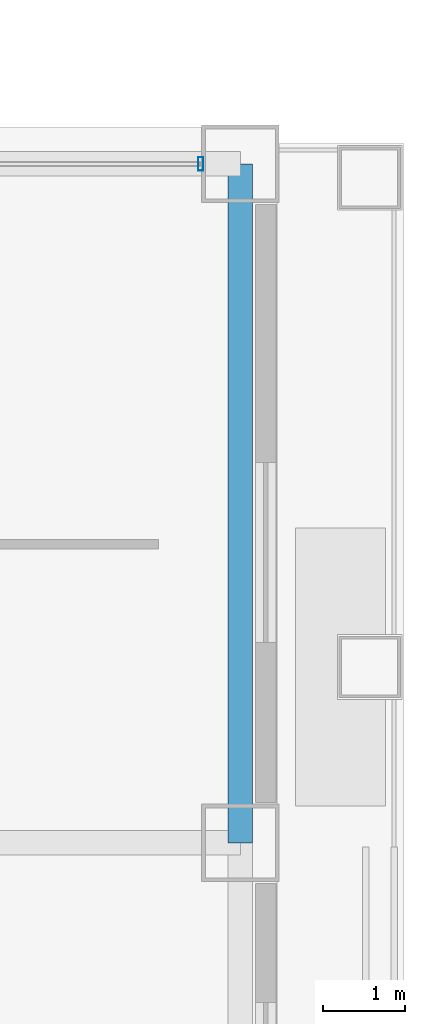
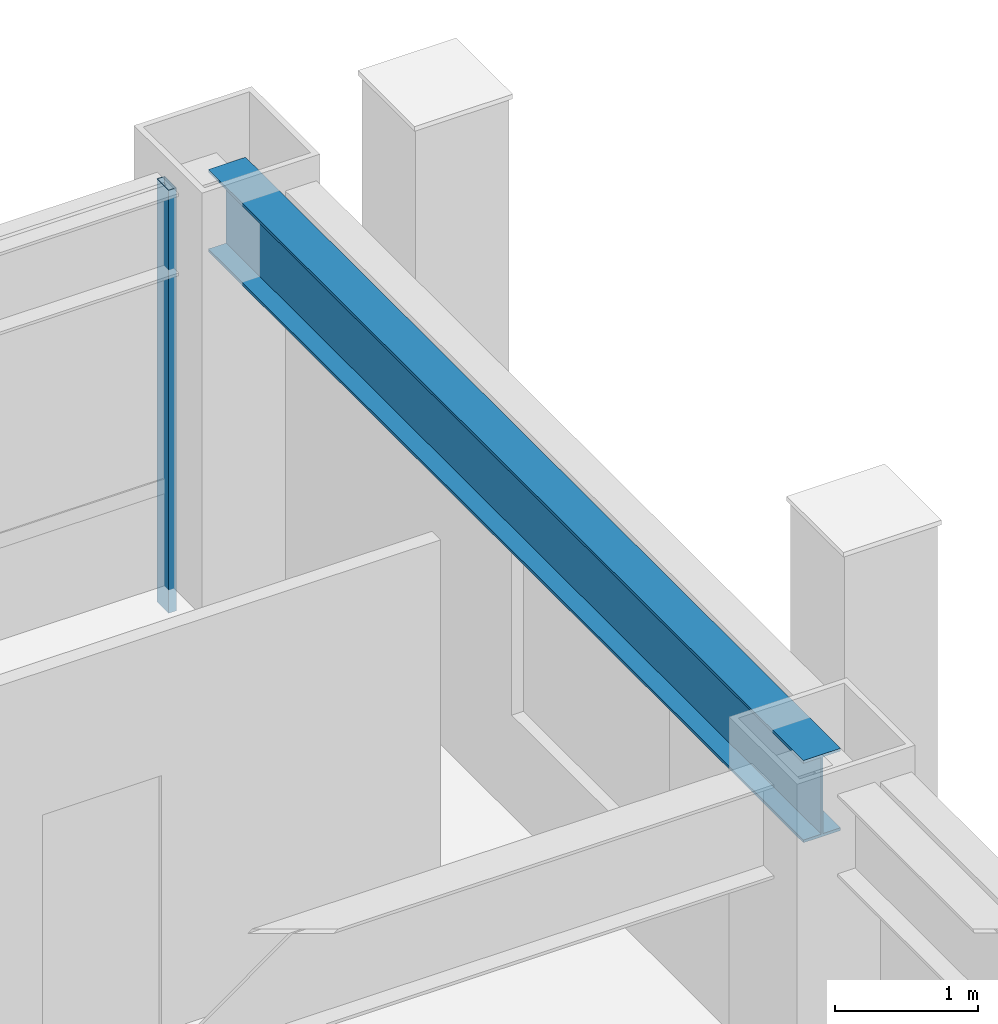
# One storey, part 23 of 31: 1 beam, 1 member, 1 element without a shape of its own.
"""IFC4 building model written with IfcOpenShell, lengths in metres."""

from ifc_helpers import new_model, si_unit, direction, frame, origin, origin_2d, place, context, subcontext, project, spatial, hollow_rectangle, i_section, extrude, material, layer, layer_set, material_profile, profile_set, type_object, element, aggregate, save


model = new_model("IFC4")

# Units and contexts
model_context = context("Model", 3, precision=1e-05, world=origin(), true_north=direction((0.0, 1.0)))
body_context = subcontext(model_context, "Body", "Model", "MODEL_VIEW")
ifc_project = project(units=[si_unit("LENGTHUNIT", "METRE"), si_unit("AREAUNIT", "SQUARE_METRE"), si_unit("VOLUMEUNIT", "CUBIC_METRE"), si_unit("PLANEANGLEUNIT", "RADIAN"), si_unit("MASSUNIT", "GRAM", prefix="KILO")], contexts=[model_context])

# Site, building, storey
site_placement = place(None, origin())
site = spatial("IfcSite", under=ifc_project, at=site_placement, CompositionType="ELEMENT")
building_placement = place(site_placement, origin())
building = spatial("IfcBuilding", under=site, at=building_placement, Name="Brelmoor Portico Tower", CompositionType="ELEMENT")
storey_placement = place(building_placement, frame((0.0, 0.0, 38.39990234375)))
storey = spatial("IfcBuildingStorey", under=building, at=storey_placement, Name="L09", CompositionType="ELEMENT", Elevation=38.39990234375)

# Beam
ifc_material_1 = material(Name="Steel Q355B", Category="steel")
ifc_material_profile_1 = material_profile(ifc_material_1, i_section(OverallWidth=0.300048828125, OverallDepth=0.699951171875, WebThickness=0.012939453125, FlangeThickness=0.02392578125, at=origin_2d()), Name="HN 700x300x13x24")
ifc_profile_set_1 = profile_set([ifc_material_profile_1], Name="Steel Q355B")
beam_type = type_object("IfcBeamType", Name="BM-SP-700", PredefinedType="SPANDREL", material=ifc_profile_set_1)
beam_placement = place(storey_placement, frame((24.550048828125, 9.75, 3.050048828125), z_axis=(0.0, 1.0, 0.0), x_axis=(-1.0, 0.0, 0.0)))
element("IfcBeam", 1, at=beam_placement, inside=storey, type_object=beam_type, Name="L09 Perimeter Spandrel Beam SP-24", PredefinedType="SPANDREL", context=body_context, shape_type="SweptSolid", body=[
    extrude(i_section(OverallWidth=0.300048828125, OverallDepth=0.699951171875, WebThickness=0.012939453125, FlangeThickness=0.02392578125, at=origin_2d()), origin(), (0.0, 0.0, 1.0), 8.300048828125),
])

# Curtain wall, member
ifc_material_2 = material(Name="Anodised Aluminium Alloy 6063-T6", Category="aluminium")
ifc_layer = layer(ifc_material_2, 0.179931640625)
ifc_layer_set = layer_set([ifc_layer], Name="Anodised Aluminium Alloy 6063-T6")
curtain_wall_type = type_object("IfcCurtainWallType", Name="CW-NOTCH-CHAMFER", PredefinedType="NOTDEFINED", material=ifc_layer_set)
curtain_wall_placement = place(storey_placement, origin())
curtain_wall = element("IfcCurtainWall", 2, at=curtain_wall_placement, inside=storey, type_object=curtain_wall_type, Name="L09 Curtain Wall CWN-L09-NEH", PredefinedType="NOTDEFINED")
ifc_material_profile_2 = material_profile(ifc_material_2, hollow_rectangle(XDim=0.06494140625, YDim=0.1650390625, WallThickness=0.00390625, at=origin_2d()), Name="ALU MULLION 65x165")
ifc_profile_set_2 = profile_set([ifc_material_profile_2], Name="Anodised Aluminium Alloy 6063-T6")
member_type = type_object("IfcMemberType", Name="MB-CW-MULL-165", PredefinedType="MULLION", material=ifc_profile_set_2)
member_placement = place(storey_placement, frame((24.06494140625, 18.050048828125, -0.199951171875), z_axis=(0.0, 0.0, 1.0), x_axis=(1.0, 0.0, 0.0)))
member = element("IfcMember", 3, at=member_placement, type_object=member_type, Name="CWN-L09-NEH Mullion 01", PredefinedType="MULLION", context=body_context, shape_type="SweptSolid", body=[
    extrude(hollow_rectangle(XDim=0.06494140625, YDim=0.1650390625, WallThickness=0.00390625, at=origin_2d()), origin(), (0.0, 0.0, 1.0), 3.60009765625),
])
aggregate(curtain_wall, [member])

save(model, "model.ifc")
